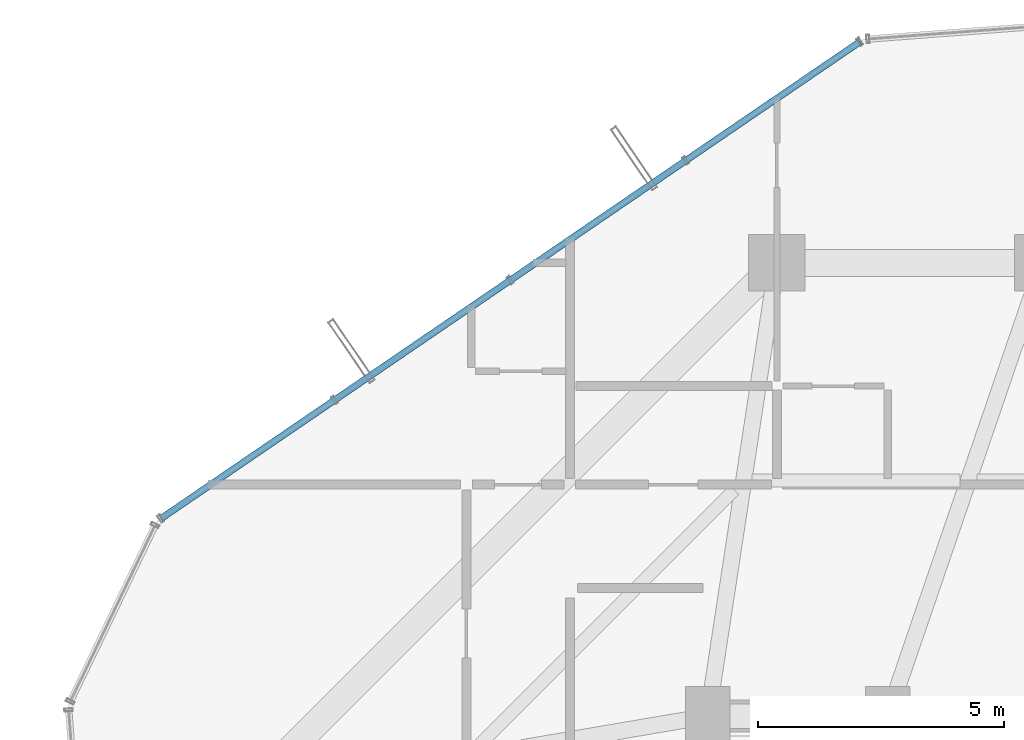
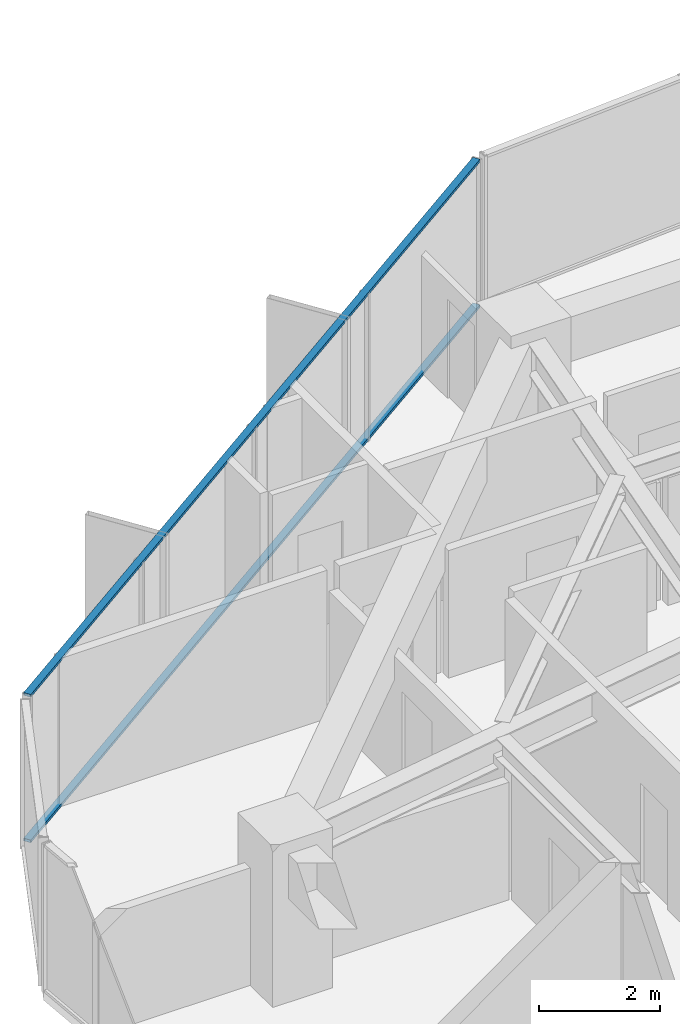
# One storey, part 22 of 35: 2 members, 1 element without a shape of its own.
"""IFC4 building model written with IfcOpenShell, lengths in metres."""

from ifc_helpers import new_model, si_unit, direction, frame, origin, origin_2d, place, context, subcontext, project, spatial, hollow_rectangle, extrude, source, transform, mapped, material, layer, layer_set, material_profile, profile_set, type_object, element, aggregate, save


model = new_model("IFC4")

# Units and contexts
model_context = context("Model", 3, precision=1e-05, world=origin(), true_north=direction((0.0, 1.0)))
body_context = subcontext(model_context, "Body", "Model", "MODEL_VIEW")
ifc_project = project(units=[si_unit("LENGTHUNIT", "METRE"), si_unit("AREAUNIT", "SQUARE_METRE"), si_unit("VOLUMEUNIT", "CUBIC_METRE"), si_unit("PLANEANGLEUNIT", "RADIAN"), si_unit("MASSUNIT", "GRAM", prefix="KILO")], contexts=[model_context])

# Site, building, storey
site_placement = place(None, origin())
site = spatial("IfcSite", under=ifc_project, at=site_placement, CompositionType="ELEMENT")
building_placement = place(site_placement, origin())
building = spatial("IfcBuilding", under=site, at=building_placement, Name="Veraguas Prism Commons", CompositionType="ELEMENT")
storey_placement = place(building_placement, frame((0.0, 0.0, 142.5)))
storey = spatial("IfcBuildingStorey", under=building, at=storey_placement, Name="L40", CompositionType="ELEMENT", Elevation=142.5)

# Curtain wall, members
ifc_material = material(Name="Anodised aluminium EN AW-6063 T6", Category="aluminium")
ifc_layer = layer(ifc_material, 0.169921875, Name="Unitised Flush Curtain Wall Zone 2", Category="aluminium")
ifc_layer_set = layer_set([ifc_layer], Name="Anodised aluminium EN AW-6063 T6")
curtain_wall_type = type_object("IfcCurtainWallType", Name="Unitised Flush Curtain Wall Zone 2", PredefinedType="NOTDEFINED", material=ifc_layer_set)
curtain_wall_placement = place(storey_placement, origin())
curtain_wall = element("IfcCurtainWall", 1, at=curtain_wall_placement, inside=storey, type_object=curtain_wall_type, Name="Tower Facade Curtain Wall L40-F2", PredefinedType="NOTDEFINED")
ifc_material_profile = material_profile(ifc_material, hollow_rectangle(XDim=0.054931640625, YDim=0.135009765625, WallThickness=0.0029296875, at=origin_2d()), Name="AL55X135X3")
ifc_profile_set = profile_set([ifc_material_profile], Name="Anodised aluminium EN AW-6063 T6")
member_type = type_object("IfcMemberType", Name="Curtain Wall Transom Standard AL 55x135x3", PredefinedType="USERDEFINED", material=ifc_profile_set)
shared_shape = source(origin(), body_context, "Body", "SweptSolid", [
    extrude(hollow_rectangle(XDim=0.054931640625, YDim=0.135009765625, WallThickness=0.0029296875, at=origin_2d()), origin(), (0.0, 0.0, 1.0), 17.17431640625),
])
member_1_placement = place(storey_placement, frame((20.283935546875, 44.685791015625, 0.027587890625), z_axis=(-0.826093785697, -0.563532658532, 0.0), x_axis=(0.0, 0.0, 1.0)))
member_1 = element("IfcMember", 2, at=member_1_placement, type_object=member_type, Name="CW-Z2 Transom 1", ObjectType="TRANSOM", PredefinedType="USERDEFINED", context=body_context, shape_type="MappedRepresentation", body=[
    mapped(shared_shape, transform((0.0, 0.0, 0.0), scale=1.0)),
])
member_2_placement = place(storey_placement, frame((20.283935546875, 44.685791015625, 2.972412109375), z_axis=(-0.826093785697, -0.563532658532, 0.0), x_axis=(0.0, 0.0, 1.0)))
member_2 = element("IfcMember", 3, at=member_2_placement, type_object=member_type, Name="CW-Z2 Transom 2", ObjectType="TRANSOM", PredefinedType="USERDEFINED", context=body_context, shape_type="MappedRepresentation", body=[
    mapped(shared_shape, transform((0.0, 0.0, 0.0), scale=1.0)),
])
aggregate(curtain_wall, [member_1, member_2])

save(model, "model.ifc")
